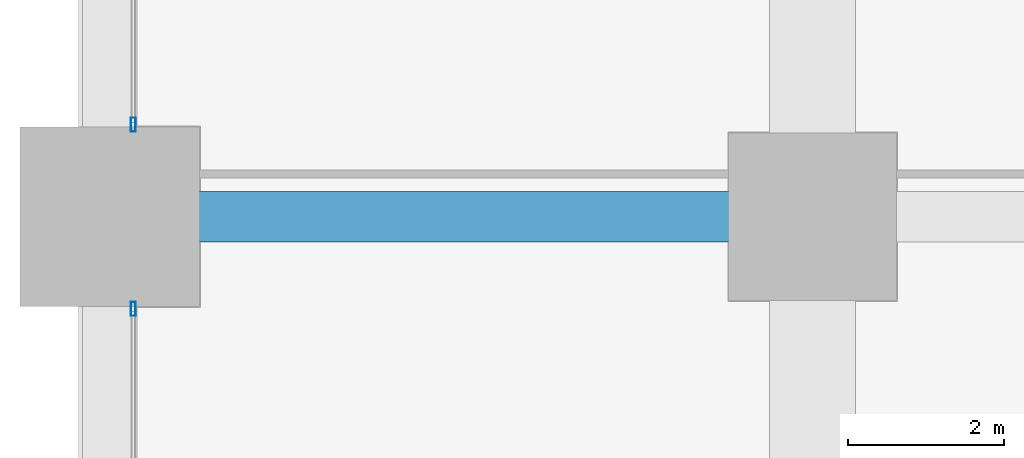
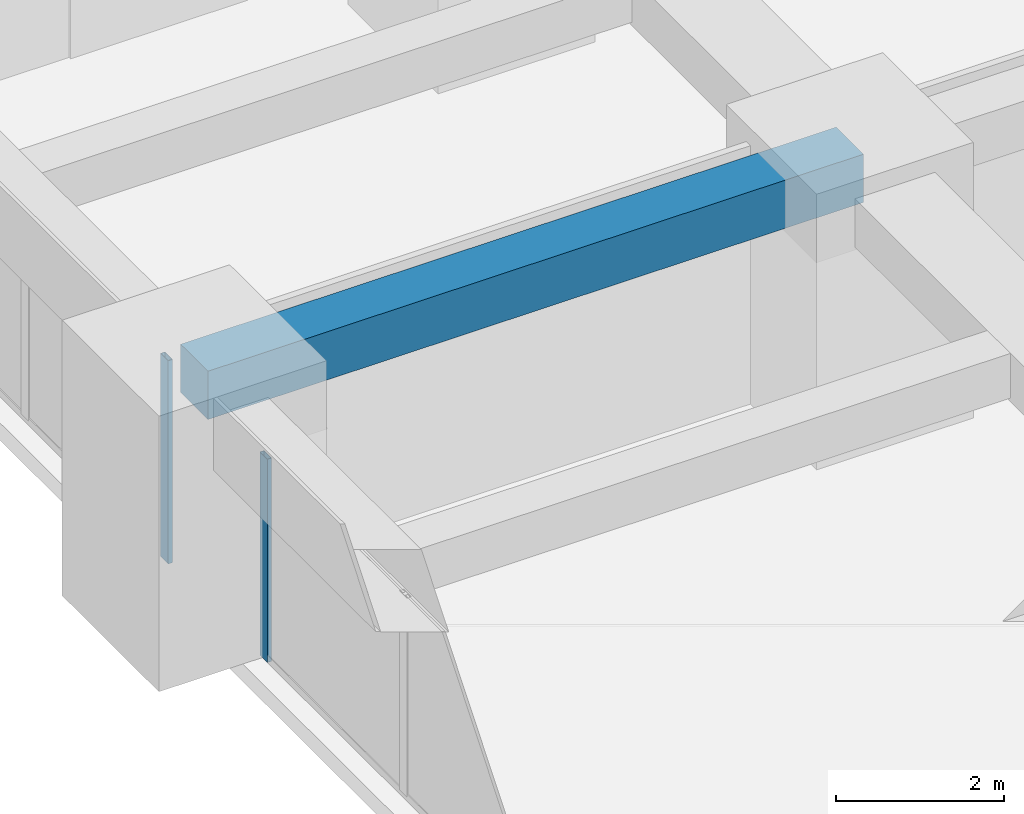
# One storey, part 23 of 44: 2 members, 1 beam, 2 elements without a shape of their own.
"""IFC4 building model written with IfcOpenShell, lengths in metres."""

from ifc_helpers import new_model, si_unit, direction, frame, origin, origin_2d, place, context, subcontext, project, spatial, rectangle, hollow_rectangle, extrude, material, material_profile, profile_set, type_object, element, aggregate, save


model = new_model("IFC4")

# Units and contexts
model_context = context("Model", 3, precision=1e-05, world=origin(), true_north=direction((0.0, 1.0)))
body_context = subcontext(model_context, "Body", "Model", "MODEL_VIEW")
ifc_project = project(units=[si_unit("LENGTHUNIT", "METRE"), si_unit("AREAUNIT", "SQUARE_METRE"), si_unit("VOLUMEUNIT", "CUBIC_METRE"), si_unit("PLANEANGLEUNIT", "RADIAN"), si_unit("MASSUNIT", "GRAM", prefix="KILO")], contexts=[model_context])

# Site, building, storey
site_placement = place(None, origin())
site = spatial("IfcSite", under=ifc_project, at=site_placement, CompositionType="ELEMENT")
building_placement = place(site_placement, origin())
building = spatial("IfcBuilding", under=site, at=building_placement, Name="Zorevar Civic Tower", CompositionType="ELEMENT")
storey_placement = place(building_placement, frame((0.0, 0.0, 59.800048828125)))
storey = spatial("IfcBuildingStorey", under=building, at=storey_placement, Name="L14", CompositionType="ELEMENT", Elevation=59.800048828125)

# Beam
ifc_material_1 = material(Name="Concrete C50/60", Category="concrete")
ifc_material_profile_1 = material_profile(ifc_material_1, rectangle(XDim=0.64990234375, YDim=0.699951171875, at=origin_2d()), Name="RC 650x700")
ifc_profile_set_1 = profile_set([ifc_material_profile_1], Name="Concrete C50/60")
beam_type = type_object("IfcBeamType", Name="Beam RC 650x700", PredefinedType="BEAM", material=ifc_profile_set_1)
beam_placement = place(storey_placement, frame((0.0, 36.0, 3.39990234375), z_axis=(1.0, 0.0, 0.0), x_axis=(0.0, 1.0, 0.0)))
element("IfcBeam", 1, at=beam_placement, inside=storey, type_object=beam_type, Name="Girder L15", PredefinedType="BEAM", context=body_context, shape_type="SweptSolid", body=[
    extrude(rectangle(XDim=0.64990234375, YDim=0.699951171875, at=origin_2d()), origin(), (0.0, 0.0, 1.0), 9.0),
])

# Curtain wall, member
ifc_material_2 = material(Name="Dark grey solar-control glass in black aluminium frame", Category="aluminium")
curtain_wall_type = type_object("IfcCurtainWallType", Name="Curtain wall CW2 low zone", PredefinedType="NOTDEFINED", material=ifc_material_2)
curtain_wall_1_placement = place(storey_placement, origin())
curtain_wall_1 = element("IfcCurtainWall", 2, at=curtain_wall_1_placement, inside=storey, type_object=curtain_wall_type, Name="CW2 L14", PredefinedType="NOTDEFINED")
ifc_material_3 = material(Name="Aluminium, black anodised", Category="aluminium")
ifc_material_profile_2 = material_profile(ifc_material_3, hollow_rectangle(XDim=0.06005859375, YDim=0.179931640625, WallThickness=0.00390625, at=origin_2d()), Name="AL 180x60x4")
ifc_profile_set_2 = profile_set([ifc_material_profile_2], Name="Aluminium, black anodised")
member_type = type_object("IfcMemberType", Name="CW2 mullion AL 180x60x4", PredefinedType="MULLION", material=ifc_profile_set_2)
member_1_placement = place(storey_placement, frame((0.300048828125, 34.820068359375, 0.0), z_axis=(0.0, 0.0, 1.0), x_axis=(-1.0, 0.0, 0.0)))
member_1 = element("IfcMember", 3, at=member_1_placement, type_object=member_type, Name="CW2 mullion 3", PredefinedType="MULLION", context=body_context, shape_type="SweptSolid", body=[
    extrude(hollow_rectangle(XDim=0.06005859375, YDim=0.179931640625, WallThickness=0.00390625, at=origin_2d()), origin(), (0.0, 0.0, 1.0), 2.949951171875),
])
aggregate(curtain_wall_1, [member_1])

curtain_wall_2_placement = place(storey_placement, origin())
curtain_wall_2 = element("IfcCurtainWall", 4, at=curtain_wall_2_placement, inside=storey, type_object=curtain_wall_type, Name="CW2 L14", PredefinedType="NOTDEFINED")
member_2_placement = place(storey_placement, frame((0.300048828125, 37.179931640625, 0.0), z_axis=(0.0, 0.0, 1.0), x_axis=(-1.0, 0.0, 0.0)))
member_2 = element("IfcMember", 5, at=member_2_placement, type_object=member_type, Name="CW2 mullion 1", PredefinedType="MULLION", context=body_context, shape_type="SweptSolid", body=[
    extrude(hollow_rectangle(XDim=0.06005859375, YDim=0.179931640625, WallThickness=0.00390625, at=origin_2d()), origin(), (0.0, 0.0, 1.0), 2.949951171875),
])
aggregate(curtain_wall_2, [member_2])

save(model, "model.ifc")
